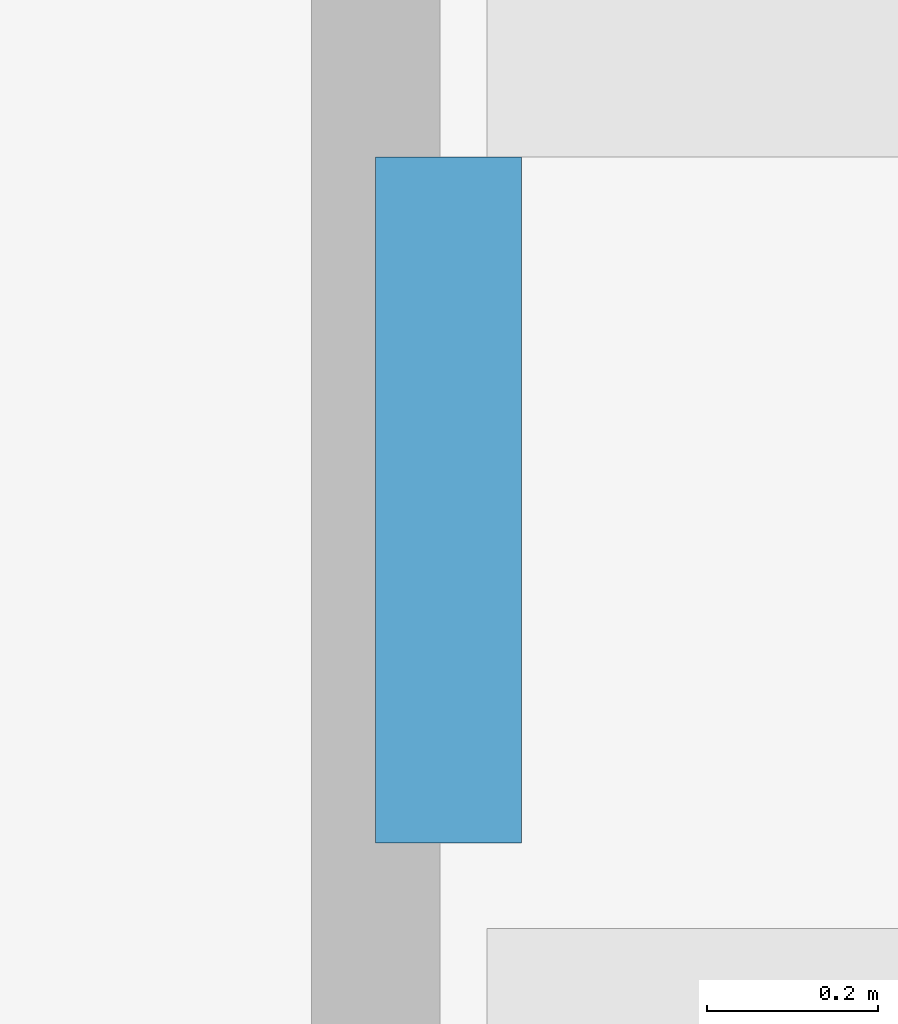
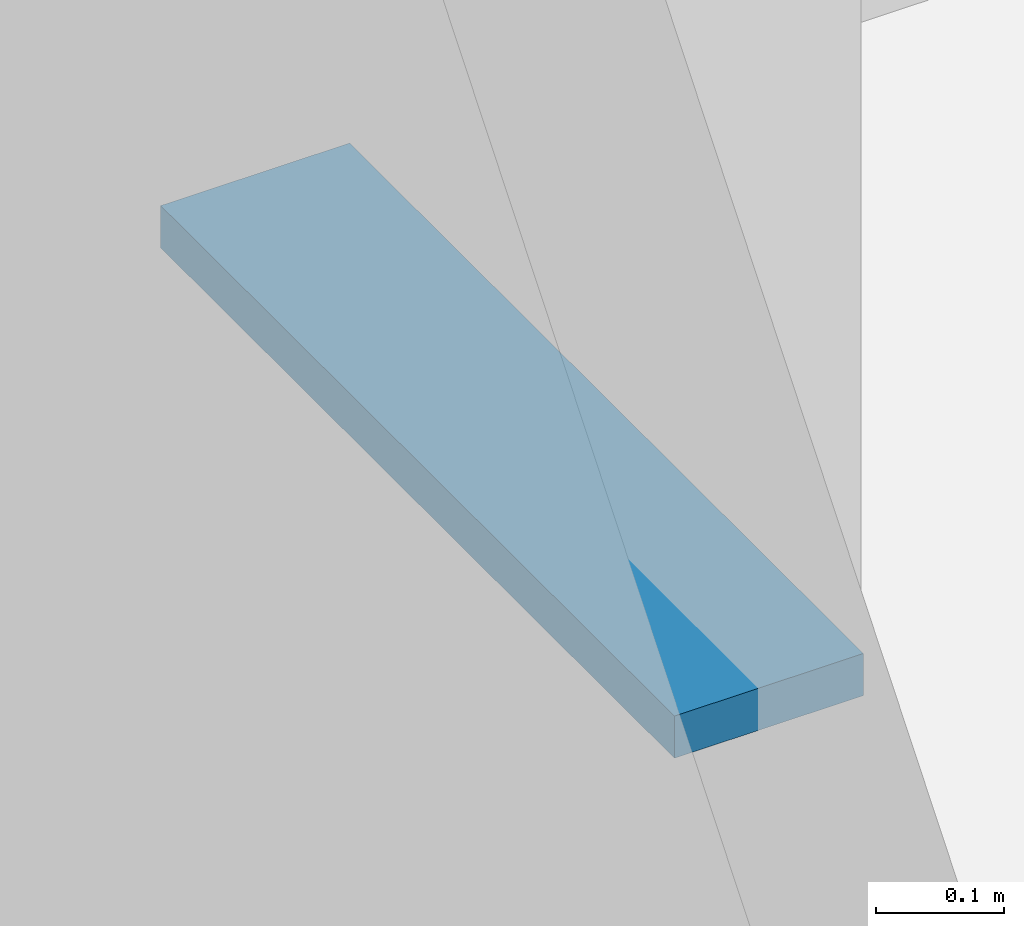
# One storey, part 48 of 74: 1 discrete accessory.
"""IFC4 building model written with IfcOpenShell, lengths in metres."""

from ifc_helpers import new_model, si_unit, direction, frame, origin, origin_2d, place, context, subcontext, project, spatial, rectangle, extrude, material, type_object, element, save


model = new_model("IFC4")

# Units and contexts
model_context = context("Model", 3, precision=1e-05, world=origin(), true_north=direction((0.0, 1.0)))
body_context = subcontext(model_context, "Body", "Model", "MODEL_VIEW")
ifc_project = project(units=[si_unit("LENGTHUNIT", "METRE"), si_unit("AREAUNIT", "SQUARE_METRE"), si_unit("VOLUMEUNIT", "CUBIC_METRE"), si_unit("PLANEANGLEUNIT", "RADIAN"), si_unit("MASSUNIT", "GRAM", prefix="KILO")], contexts=[model_context])

# Site, building, storey
site_placement = place(None, origin())
site = spatial("IfcSite", under=ifc_project, at=site_placement, CompositionType="ELEMENT")
building_placement = place(site_placement, origin())
building = spatial("IfcBuilding", under=site, at=building_placement, Name="Rulbaag Community and Learning Centre", CompositionType="ELEMENT")
storey_placement = place(building_placement, origin())
storey = spatial("IfcBuildingStorey", under=building, at=storey_placement, Name="L00", CompositionType="ELEMENT", Elevation=0.0)

# Discrete accessory
ifc_material = material(Name="Stainless steel grade 316", Category="steel")
discrete_accessory_type = type_object("IfcDiscreteAccessoryType", Name="GR-800", PredefinedType="USERDEFINED", material=ifc_material)
discrete_accessory_placement = place(storey_placement, frame((162.485107421875, 116.1298828125, 0.72998046875), z_axis=(0.0, 0.0, 1.0), x_axis=(1.0, 0.0, 0.0)))
element("IfcDiscreteAccessory", 1, at=discrete_accessory_placement, inside=storey, type_object=discrete_accessory_type, Name="Grab rail", ObjectType="GRAB RAIL", PredefinedType="USERDEFINED", context=body_context, shape_type="SweptSolid", body=[
    extrude(rectangle(XDim=0.169921875, YDim=0.800048828125, at=origin_2d()), origin(), (0.0, 0.0, 1.0), 0.0400390625),
])

save(model, "model.ifc")
